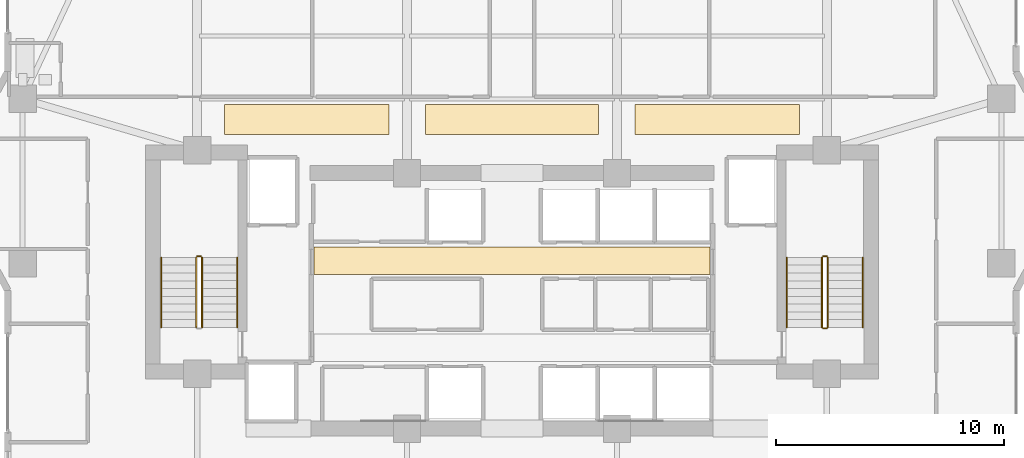
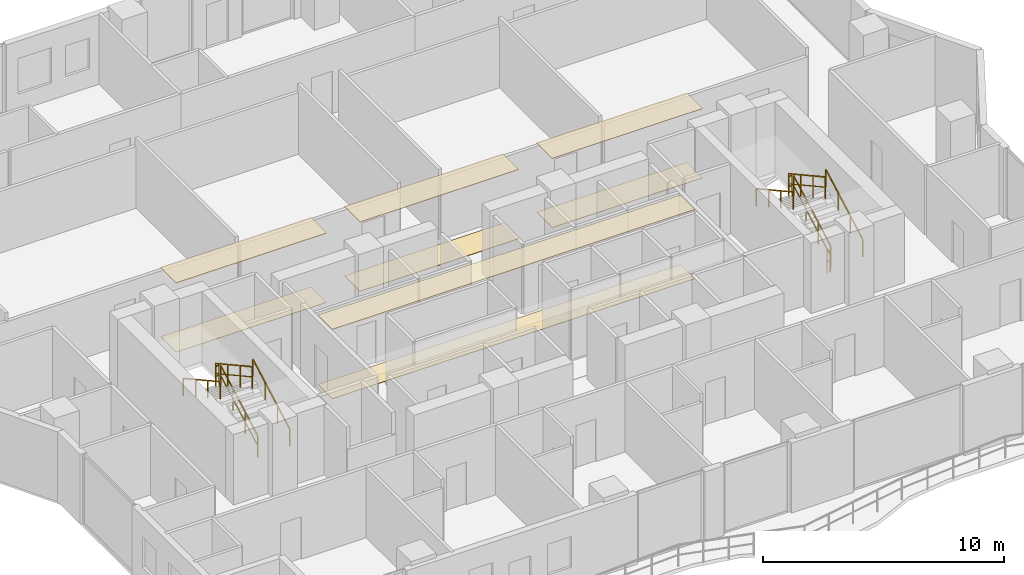
# One storey, part 30 of 32: 11 railings, 8 coverings.
"""IFC4 building model written with IfcOpenShell, lengths in metres."""

from ifc_helpers import new_model, si_unit, direction, frame, origin, origin_2d, place, context, subcontext, project, spatial, polyline, rectangle, outline, extrude, material, layer, layer_set, type_object, element, save


model = new_model("IFC4")

# Units and contexts
model_context = context("Model", 3, precision=1e-05, world=origin(), true_north=direction((0.0, 1.0)))
body_context = subcontext(model_context, "Body", "Model", "MODEL_VIEW")
ifc_project = project(units=[si_unit("LENGTHUNIT", "METRE"), si_unit("AREAUNIT", "SQUARE_METRE"), si_unit("VOLUMEUNIT", "CUBIC_METRE"), si_unit("PLANEANGLEUNIT", "RADIAN"), si_unit("MASSUNIT", "GRAM", prefix="KILO")], contexts=[model_context])

# Site, building, storey
site_placement = place(None, origin())
site = spatial("IfcSite", under=ifc_project, at=site_placement, CompositionType="ELEMENT")
building_placement = place(site_placement, origin())
building = spatial("IfcBuilding", under=site, at=building_placement, Name="Zuhayl Quay Hotel", CompositionType="ELEMENT")
storey_placement = place(building_placement, frame((0.0, 0.0, 192.39990234375)))
storey = spatial("IfcBuildingStorey", under=building, at=storey_placement, Name="L48", CompositionType="ELEMENT", Elevation=192.39990234375)

# Coverings
ifc_material_1 = material(Name="Acoustic Mineral-Fibre Gypsum Board")
ifc_layer_1 = layer(ifc_material_1, 0.02490234375, Name="Acoustic Mineral-Fibre Gypsum Board")
ifc_layer_set_1 = layer_set([ifc_layer_1], Name="Acoustic Mineral-Fibre Gypsum Board")
covering_type_1 = type_object("IfcCoveringType", Name="CV_CEIL_ACOUSTIC", PredefinedType="CEILING", material=ifc_layer_set_1)
covering_1_placement = place(storey_placement, frame((0.0, 0.0, 3.505126953125)))
element("IfcCovering", 1, at=covering_1_placement, inside=storey, type_object=covering_type_1, Name="L48 Suspended Acoustic Lobby Ceiling N", PredefinedType="CEILING", context=body_context, shape_type="SweptSolid", body=[
    extrude(outline(polyline([(-8.679931640625, 8.89990234375), (8.679931640625, 8.89990234375), (8.679931640625, 10.10009765625), (-8.679931640625, 10.10009765625), (-8.679931640625, 8.89990234375)])), origin(), (0.0, 0.0, 1.0), 0.02490234375),
])
covering_2_placement = place(storey_placement, frame((0.0, 0.0, 3.505126953125)))
element("IfcCovering", 2, at=covering_2_placement, inside=storey, type_object=covering_type_1, Name="L48 Guest Corridor Acoustic Ceiling CW", PredefinedType="CEILING", context=body_context, shape_type="SweptSolid", body=[
    extrude(outline(polyline([(-12.60009765625, 15.050048828125), (-5.39990234375, 15.050048828125), (-5.39990234375, 16.35009765625), (-12.60009765625, 16.35009765625), (-12.60009765625, 15.050048828125)])), origin(), (0.0, 0.0, 1.0), 0.02490234375),
])
covering_3_placement = place(storey_placement, frame((0.0, 0.0, 3.505126953125)))
element("IfcCovering", 3, at=covering_3_placement, inside=storey, type_object=covering_type_1, Name="L48 Guest Corridor Acoustic Ceiling CC", PredefinedType="CEILING", context=body_context, shape_type="SweptSolid", body=[
    extrude(outline(polyline([(-3.800048828125, 15.050048828125), (3.800048828125, 15.050048828125), (3.800048828125, 16.35009765625), (-3.800048828125, 16.35009765625), (-3.800048828125, 15.050048828125)])), origin(), (0.0, 0.0, 1.0), 0.02490234375),
])
covering_4_placement = place(storey_placement, frame((0.0, 0.0, 3.505126953125)))
element("IfcCovering", 4, at=covering_4_placement, inside=storey, type_object=covering_type_1, Name="L48 Guest Corridor Acoustic Ceiling CE", PredefinedType="CEILING", context=body_context, shape_type="SweptSolid", body=[
    extrude(outline(polyline([(5.39990234375, 15.050048828125), (12.60009765625, 15.050048828125), (12.60009765625, 16.35009765625), (5.39990234375, 16.35009765625), (5.39990234375, 15.050048828125)])), origin(), (0.0, 0.0, 1.0), 0.02490234375),
])
ifc_material_2 = material(Name="Polished Limestone Terrazzo", Category="masonry")
ifc_layer_2 = layer(ifc_material_2, 0.02001953125, Name="Polished Limestone Terrazzo", Category="masonry")
ifc_layer_set_2 = layer_set([ifc_layer_2], Name="Polished Limestone Terrazzo")
covering_type_2 = type_object("IfcCoveringType", Name="CV_FLOOR_TERRAZZO", PredefinedType="FLOORING", material=ifc_layer_set_2)
covering_5_placement = place(storey_placement, origin())
element("IfcCovering", 5, at=covering_5_placement, inside=storey, type_object=covering_type_2, Name="L48 Honed Limestone Terrazzo Lobby Flooring N", PredefinedType="FLOORING", context=body_context, shape_type="SweptSolid", body=[
    extrude(outline(polyline([(-8.679931640625, 8.89990234375), (8.679931640625, 8.89990234375), (8.679931640625, 10.10009765625), (-8.679931640625, 10.10009765625), (-8.679931640625, 8.89990234375)])), origin(), (0.0, 0.0, 1.0), 0.02001953125),
])
covering_6_placement = place(storey_placement, origin())
element("IfcCovering", 6, at=covering_6_placement, inside=storey, type_object=covering_type_2, Name="L48 Guest Corridor Terrazzo Runner CW", PredefinedType="FLOORING", context=body_context, shape_type="SweptSolid", body=[
    extrude(outline(polyline([(-12.60009765625, 15.050048828125), (-5.39990234375, 15.050048828125), (-5.39990234375, 16.35009765625), (-12.60009765625, 16.35009765625), (-12.60009765625, 15.050048828125)])), origin(), (0.0, 0.0, 1.0), 0.02001953125),
])
covering_7_placement = place(storey_placement, origin())
element("IfcCovering", 7, at=covering_7_placement, inside=storey, type_object=covering_type_2, Name="L48 Guest Corridor Terrazzo Runner CC", PredefinedType="FLOORING", context=body_context, shape_type="SweptSolid", body=[
    extrude(outline(polyline([(-3.800048828125, 15.050048828125), (3.800048828125, 15.050048828125), (3.800048828125, 16.35009765625), (-3.800048828125, 16.35009765625), (-3.800048828125, 15.050048828125)])), origin(), (0.0, 0.0, 1.0), 0.02001953125),
])
covering_8_placement = place(storey_placement, origin())
element("IfcCovering", 8, at=covering_8_placement, inside=storey, type_object=covering_type_2, Name="L48 Guest Corridor Terrazzo Runner CE", PredefinedType="FLOORING", context=body_context, shape_type="SweptSolid", body=[
    extrude(outline(polyline([(5.39990234375, 15.050048828125), (12.60009765625, 15.050048828125), (12.60009765625, 16.35009765625), (5.39990234375, 16.35009765625), (5.39990234375, 15.050048828125)])), origin(), (0.0, 0.0, 1.0), 0.02001953125),
])

# Railings
ifc_material_3 = material(Name="Steel ASTM A992 Grade 50", Category="steel")
railing_type_1 = type_object("IfcRailingType", Name="RL_GUARD_1100", PredefinedType="GUARDRAIL", material=ifc_material_3)
railing_1_placement = place(storey_placement, frame((-13.590087890625, 6.590087890625, 0.1875)))
element("IfcRailing", 9, at=railing_1_placement, inside=storey, type_object=railing_type_1, Name="L48 ST1 stair guard 1", PredefinedType="GUARDRAIL", context=body_context, shape_type="SweptSolid", body=[
    extrude(rectangle(XDim=0.048095703125, YDim=0.048095703125, at=origin_2d()), frame((0.0, 0.0, 1.09619140625), z_axis=(0.0, 0.875659195171, 0.482929574485), x_axis=(-1.0, 0.0, 0.0)), (0.0, 0.0, 1.0), 3.494384765625),
    extrude(rectangle(XDim=0.0361328125, YDim=0.0361328125, at=origin_2d()), frame((0.0, 0.0, 0.58251953125), z_axis=(0.0, 0.875659195171, 0.482929574485), x_axis=(-1.0, 0.0, 0.0)), (0.0, 0.0, 1.0), 3.494384765625),
    extrude(rectangle(XDim=0.0419921875, YDim=0.0419921875, at=origin_2d()), origin(), (0.0, 0.0, 1.0), 1.072021484375),
    extrude(rectangle(XDim=0.0419921875, YDim=0.0419921875, at=origin_2d()), frame((0.0, 1.02001953125, 0.5625)), (0.0, 0.0, 1.0), 1.072021484375),
    extrude(rectangle(XDim=0.0419921875, YDim=0.0419921875, at=origin_2d()), frame((0.0, 2.039794921875, 1.125)), (0.0, 0.0, 1.0), 1.072021484375),
    extrude(rectangle(XDim=0.0419921875, YDim=0.0419921875, at=origin_2d()), frame((0.0, 3.059814453125, 1.6875)), (0.0, 0.0, 1.0), 1.072021484375),
])
railing_2_placement = place(storey_placement, frame((-13.639892578125, 9.699951171875, 1.875)))
element("IfcRailing", 10, at=railing_2_placement, inside=storey, type_object=railing_type_1, Name="L48 ST1 stair guard 2", PredefinedType="GUARDRAIL", context=body_context, shape_type="SweptSolid", body=[
    extrude(rectangle(XDim=0.048095703125, YDim=0.048095703125, at=origin_2d()), frame((0.0, 0.0, 1.09619140625), z_axis=(-1.0, 0.0, 0.0), x_axis=(0.0, -1.0, 0.0)), (0.0, 0.0, 1.0), 0.150146484375),
    extrude(rectangle(XDim=0.0361328125, YDim=0.0361328125, at=origin_2d()), frame((0.0, 0.0, 0.58251953125), z_axis=(-1.0, 0.0, 0.0), x_axis=(0.0, -1.0, 0.0)), (0.0, 0.0, 1.0), 0.150146484375),
    extrude(rectangle(XDim=0.0419921875, YDim=0.0419921875, at=origin_2d()), origin(), (0.0, 0.0, 1.0), 1.072021484375),
    extrude(rectangle(XDim=0.0419921875, YDim=0.0419921875, at=origin_2d()), frame((-0.150146484375, 0.0, 0.0)), (0.0, 0.0, 1.0), 1.072021484375),
])
railing_3_placement = place(storey_placement, frame((-13.840087890625, 9.64990234375, 2.0625)))
element("IfcRailing", 11, at=railing_3_placement, inside=storey, type_object=railing_type_1, Name="L48 ST1 stair guard 3", PredefinedType="GUARDRAIL", context=body_context, shape_type="SweptSolid", body=[
    extrude(rectangle(XDim=0.048095703125, YDim=0.048095703125, at=origin_2d()), frame((0.0, 0.0, 1.09619140625), z_axis=(0.0, -0.875659195171, 0.482929574485), x_axis=(1.0, 0.0, 0.0)), (0.0, 0.0, 1.0), 3.494384765625),
    extrude(rectangle(XDim=0.0361328125, YDim=0.0361328125, at=origin_2d()), frame((0.0, 0.0, 0.58251953125), z_axis=(0.0, -0.875659195171, 0.482929574485), x_axis=(1.0, 0.0, 0.0)), (0.0, 0.0, 1.0), 3.494384765625),
    extrude(rectangle(XDim=0.0419921875, YDim=0.0419921875, at=origin_2d()), origin(), (0.0, 0.0, 1.0), 1.072021484375),
    extrude(rectangle(XDim=0.0419921875, YDim=0.0419921875, at=origin_2d()), frame((0.0, -1.02001953125, 0.5625)), (0.0, 0.0, 1.0), 1.072021484375),
    extrude(rectangle(XDim=0.0419921875, YDim=0.0419921875, at=origin_2d()), frame((0.0, -2.039794921875, 1.125)), (0.0, 0.0, 1.0), 1.072021484375),
    extrude(rectangle(XDim=0.0419921875, YDim=0.0419921875, at=origin_2d()), frame((0.0, -3.059814453125, 1.6875)), (0.0, 0.0, 1.0), 1.072021484375),
])
railing_4_placement = place(storey_placement, frame((13.840087890625, 6.590087890625, 0.1875)))
element("IfcRailing", 12, at=railing_4_placement, inside=storey, type_object=railing_type_1, Name="L48 ST2 stair guard 1", PredefinedType="GUARDRAIL", context=body_context, shape_type="SweptSolid", body=[
    extrude(rectangle(XDim=0.048095703125, YDim=0.048095703125, at=origin_2d()), frame((0.0, 0.0, 1.09619140625), z_axis=(0.0, 0.875659195171, 0.482929574485), x_axis=(-1.0, 0.0, 0.0)), (0.0, 0.0, 1.0), 3.494384765625),
    extrude(rectangle(XDim=0.0361328125, YDim=0.0361328125, at=origin_2d()), frame((0.0, 0.0, 0.58251953125), z_axis=(0.0, 0.875659195171, 0.482929574485), x_axis=(-1.0, 0.0, 0.0)), (0.0, 0.0, 1.0), 3.494384765625),
    extrude(rectangle(XDim=0.0419921875, YDim=0.0419921875, at=origin_2d()), origin(), (0.0, 0.0, 1.0), 1.072021484375),
    extrude(rectangle(XDim=0.0419921875, YDim=0.0419921875, at=origin_2d()), frame((0.0, 1.02001953125, 0.5625)), (0.0, 0.0, 1.0), 1.072021484375),
    extrude(rectangle(XDim=0.0419921875, YDim=0.0419921875, at=origin_2d()), frame((0.0, 2.039794921875, 1.125)), (0.0, 0.0, 1.0), 1.072021484375),
    extrude(rectangle(XDim=0.0419921875, YDim=0.0419921875, at=origin_2d()), frame((0.0, 3.059814453125, 1.6875)), (0.0, 0.0, 1.0), 1.072021484375),
])
railing_5_placement = place(storey_placement, frame((13.7900390625, 9.699951171875, 1.875)))
element("IfcRailing", 13, at=railing_5_placement, inside=storey, type_object=railing_type_1, Name="L48 ST2 stair guard 2", PredefinedType="GUARDRAIL", context=body_context, shape_type="SweptSolid", body=[
    extrude(rectangle(XDim=0.048095703125, YDim=0.048095703125, at=origin_2d()), frame((0.0, 0.0, 1.09619140625), z_axis=(-1.0, 0.0, 0.0), x_axis=(0.0, -1.0, 0.0)), (0.0, 0.0, 1.0), 0.150146484375),
    extrude(rectangle(XDim=0.0361328125, YDim=0.0361328125, at=origin_2d()), frame((0.0, 0.0, 0.58251953125), z_axis=(-1.0, 0.0, 0.0), x_axis=(0.0, -1.0, 0.0)), (0.0, 0.0, 1.0), 0.150146484375),
    extrude(rectangle(XDim=0.0419921875, YDim=0.0419921875, at=origin_2d()), origin(), (0.0, 0.0, 1.0), 1.072021484375),
    extrude(rectangle(XDim=0.0419921875, YDim=0.0419921875, at=origin_2d()), frame((-0.150146484375, 0.0, 0.0)), (0.0, 0.0, 1.0), 1.072021484375),
])
railing_6_placement = place(storey_placement, frame((13.590087890625, 9.64990234375, 2.0625)))
element("IfcRailing", 14, at=railing_6_placement, inside=storey, type_object=railing_type_1, Name="L48 ST2 stair guard 3", PredefinedType="GUARDRAIL", context=body_context, shape_type="SweptSolid", body=[
    extrude(rectangle(XDim=0.048095703125, YDim=0.048095703125, at=origin_2d()), frame((0.0, 0.0, 1.09619140625), z_axis=(0.0, -0.875659195171, 0.482929574485), x_axis=(1.0, 0.0, 0.0)), (0.0, 0.0, 1.0), 3.494384765625),
    extrude(rectangle(XDim=0.0361328125, YDim=0.0361328125, at=origin_2d()), frame((0.0, 0.0, 0.58251953125), z_axis=(0.0, -0.875659195171, 0.482929574485), x_axis=(1.0, 0.0, 0.0)), (0.0, 0.0, 1.0), 3.494384765625),
    extrude(rectangle(XDim=0.0419921875, YDim=0.0419921875, at=origin_2d()), origin(), (0.0, 0.0, 1.0), 1.072021484375),
    extrude(rectangle(XDim=0.0419921875, YDim=0.0419921875, at=origin_2d()), frame((0.0, -1.02001953125, 0.5625)), (0.0, 0.0, 1.0), 1.072021484375),
    extrude(rectangle(XDim=0.0419921875, YDim=0.0419921875, at=origin_2d()), frame((0.0, -2.039794921875, 1.125)), (0.0, 0.0, 1.0), 1.072021484375),
    extrude(rectangle(XDim=0.0419921875, YDim=0.0419921875, at=origin_2d()), frame((0.0, -3.059814453125, 1.6875)), (0.0, 0.0, 1.0), 1.072021484375),
])
railing_7_placement = place(storey_placement, frame((13.7900390625, 6.5400390625, 0.0)))
element("IfcRailing", 15, at=railing_7_placement, inside=storey, type_object=railing_type_1, Name="L48 ST2 stair guard 4", PredefinedType="GUARDRAIL", context=body_context, shape_type="SweptSolid", body=[
    extrude(rectangle(XDim=0.048095703125, YDim=0.048095703125, at=origin_2d()), frame((0.0, 0.0, 1.09619140625), z_axis=(-1.0, 0.0, 0.0), x_axis=(0.0, -1.0, 0.0)), (0.0, 0.0, 1.0), 0.150146484375),
    extrude(rectangle(XDim=0.0361328125, YDim=0.0361328125, at=origin_2d()), frame((0.0, 0.0, 0.58251953125), z_axis=(-1.0, 0.0, 0.0), x_axis=(0.0, -1.0, 0.0)), (0.0, 0.0, 1.0), 0.150146484375),
    extrude(rectangle(XDim=0.0419921875, YDim=0.0419921875, at=origin_2d()), origin(), (0.0, 0.0, 1.0), 1.072021484375),
    extrude(rectangle(XDim=0.0419921875, YDim=0.0419921875, at=origin_2d()), frame((-0.150146484375, 0.0, 0.0)), (0.0, 0.0, 1.0), 1.072021484375),
])
railing_type_2 = type_object("IfcRailingType", Name="RL_HANDRAIL_920", PredefinedType="HANDRAIL", material=ifc_material_3)
railing_8_placement = place(storey_placement, frame((-12.050048828125, 6.590087890625, 0.1875)))
element("IfcRailing", 16, at=railing_8_placement, inside=storey, type_object=railing_type_2, Name="L48 ST1 stair handrail 1", PredefinedType="HANDRAIL", context=body_context, shape_type="SweptSolid", body=[
    extrude(rectangle(XDim=0.048095703125, YDim=0.048095703125, at=origin_2d()), frame((0.0, 0.0, 0.8759765625), z_axis=(0.0, 0.875659195171, 0.482929574485), x_axis=(-1.0, 0.0, 0.0)), (0.0, 0.0, 1.0), 3.494384765625),
    extrude(rectangle(XDim=0.0419921875, YDim=0.0419921875, at=origin_2d()), origin(), (0.0, 0.0, 1.0), 0.851806640625),
    extrude(rectangle(XDim=0.0419921875, YDim=0.0419921875, at=origin_2d()), frame((0.0, 1.02001953125, 0.5625)), (0.0, 0.0, 1.0), 0.851806640625),
    extrude(rectangle(XDim=0.0419921875, YDim=0.0419921875, at=origin_2d()), frame((0.0, 2.039794921875, 1.125)), (0.0, 0.0, 1.0), 0.851806640625),
    extrude(rectangle(XDim=0.0419921875, YDim=0.0419921875, at=origin_2d()), frame((0.0, 3.059814453125, 1.6875)), (0.0, 0.0, 1.0), 0.851806640625),
])
railing_9_placement = place(storey_placement, frame((-15.3798828125, 9.64990234375, 2.0625)))
element("IfcRailing", 17, at=railing_9_placement, inside=storey, type_object=railing_type_2, Name="L48 ST1 stair handrail 2", PredefinedType="HANDRAIL", context=body_context, shape_type="SweptSolid", body=[
    extrude(rectangle(XDim=0.048095703125, YDim=0.048095703125, at=origin_2d()), frame((0.0, 0.0, 0.8759765625), z_axis=(0.0, -0.875659195171, 0.482929574485), x_axis=(1.0, 0.0, 0.0)), (0.0, 0.0, 1.0), 3.494384765625),
    extrude(rectangle(XDim=0.0419921875, YDim=0.0419921875, at=origin_2d()), origin(), (0.0, 0.0, 1.0), 0.851806640625),
    extrude(rectangle(XDim=0.0419921875, YDim=0.0419921875, at=origin_2d()), frame((0.0, -1.02001953125, 0.5625)), (0.0, 0.0, 1.0), 0.851806640625),
    extrude(rectangle(XDim=0.0419921875, YDim=0.0419921875, at=origin_2d()), frame((0.0, -2.039794921875, 1.125)), (0.0, 0.0, 1.0), 0.851806640625),
    extrude(rectangle(XDim=0.0419921875, YDim=0.0419921875, at=origin_2d()), frame((0.0, -3.059814453125, 1.6875)), (0.0, 0.0, 1.0), 0.851806640625),
])
railing_10_placement = place(storey_placement, frame((15.3798828125, 6.590087890625, 0.1875)))
element("IfcRailing", 18, at=railing_10_placement, inside=storey, type_object=railing_type_2, Name="L48 ST2 stair handrail 1", PredefinedType="HANDRAIL", context=body_context, shape_type="SweptSolid", body=[
    extrude(rectangle(XDim=0.048095703125, YDim=0.048095703125, at=origin_2d()), frame((0.0, 0.0, 0.8759765625), z_axis=(0.0, 0.875659195171, 0.482929574485), x_axis=(-1.0, 0.0, 0.0)), (0.0, 0.0, 1.0), 3.494384765625),
    extrude(rectangle(XDim=0.0419921875, YDim=0.0419921875, at=origin_2d()), origin(), (0.0, 0.0, 1.0), 0.851806640625),
    extrude(rectangle(XDim=0.0419921875, YDim=0.0419921875, at=origin_2d()), frame((0.0, 1.02001953125, 0.5625)), (0.0, 0.0, 1.0), 0.851806640625),
    extrude(rectangle(XDim=0.0419921875, YDim=0.0419921875, at=origin_2d()), frame((0.0, 2.039794921875, 1.125)), (0.0, 0.0, 1.0), 0.851806640625),
    extrude(rectangle(XDim=0.0419921875, YDim=0.0419921875, at=origin_2d()), frame((0.0, 3.059814453125, 1.6875)), (0.0, 0.0, 1.0), 0.851806640625),
])
railing_11_placement = place(storey_placement, frame((12.050048828125, 9.64990234375, 2.0625)))
element("IfcRailing", 19, at=railing_11_placement, inside=storey, type_object=railing_type_2, Name="L48 ST2 stair handrail 2", PredefinedType="HANDRAIL", context=body_context, shape_type="SweptSolid", body=[
    extrude(rectangle(XDim=0.048095703125, YDim=0.048095703125, at=origin_2d()), frame((0.0, 0.0, 0.8759765625), z_axis=(0.0, -0.875659195171, 0.482929574485), x_axis=(1.0, 0.0, 0.0)), (0.0, 0.0, 1.0), 3.494384765625),
    extrude(rectangle(XDim=0.0419921875, YDim=0.0419921875, at=origin_2d()), origin(), (0.0, 0.0, 1.0), 0.851806640625),
    extrude(rectangle(XDim=0.0419921875, YDim=0.0419921875, at=origin_2d()), frame((0.0, -1.02001953125, 0.5625)), (0.0, 0.0, 1.0), 0.851806640625),
    extrude(rectangle(XDim=0.0419921875, YDim=0.0419921875, at=origin_2d()), frame((0.0, -2.039794921875, 1.125)), (0.0, 0.0, 1.0), 0.851806640625),
    extrude(rectangle(XDim=0.0419921875, YDim=0.0419921875, at=origin_2d()), frame((0.0, -3.059814453125, 1.6875)), (0.0, 0.0, 1.0), 0.851806640625),
])

save(model, "model.ifc")
